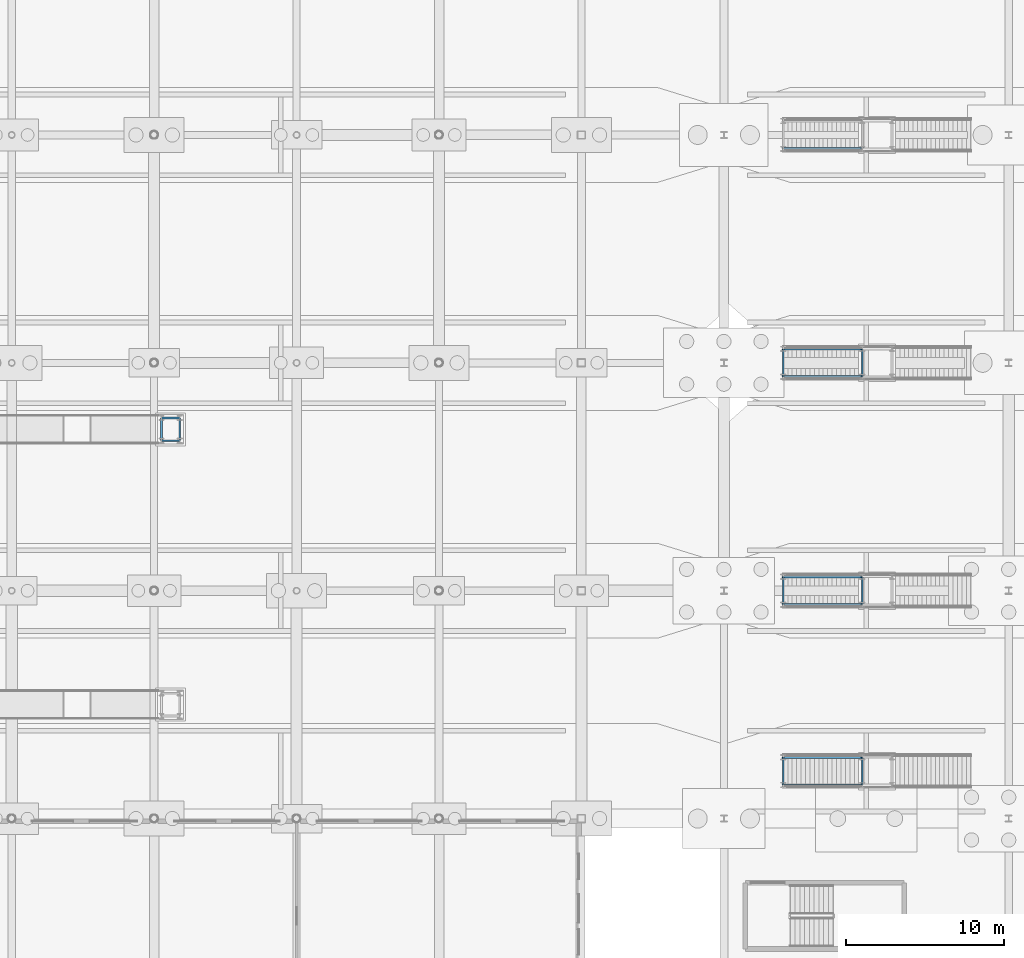
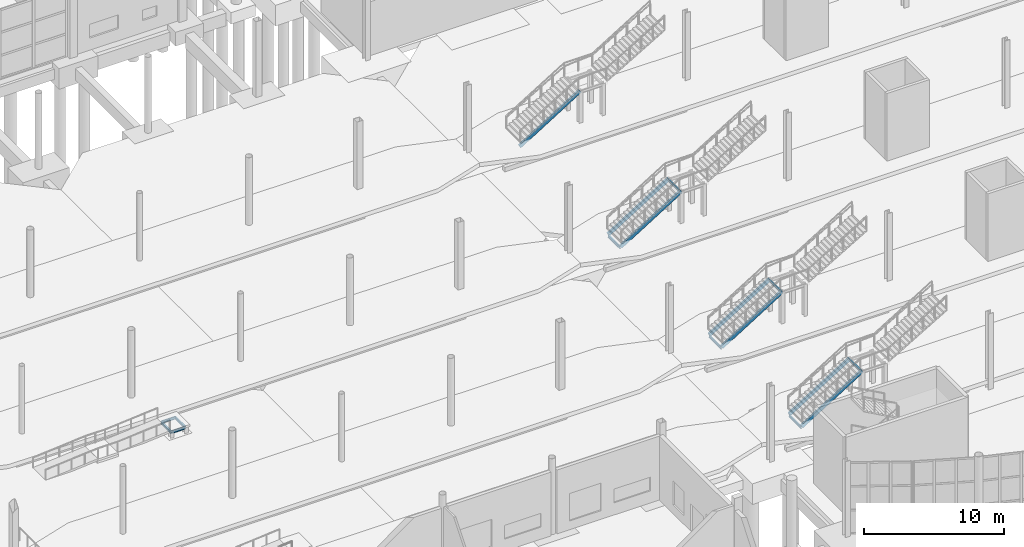
# One storey, part 41 of 115: 10 beams, 7 members.
"""IFC4 building model written with IfcOpenShell, lengths in metres."""

from ifc_helpers import new_model, si_unit, direction, frame, origin, origin_2d, place, context, subcontext, project, spatial, hollow_rectangle, i_section, extrude, material, material_profile, profile_set, type_object, element, save


model = new_model("IFC4")

# Units and contexts
model_context = context("Model", 3, precision=1e-05, world=origin(), true_north=direction((0.0, 1.0)))
body_context = subcontext(model_context, "Body", "Model", "MODEL_VIEW")
ifc_project = project(units=[si_unit("LENGTHUNIT", "METRE"), si_unit("AREAUNIT", "SQUARE_METRE"), si_unit("VOLUMEUNIT", "CUBIC_METRE"), si_unit("PLANEANGLEUNIT", "RADIAN"), si_unit("MASSUNIT", "GRAM", prefix="KILO")], contexts=[model_context])

# Site, building, storey
site_placement = place(None, origin())
site = spatial("IfcSite", under=ifc_project, at=site_placement, CompositionType="ELEMENT")
building_placement = place(site_placement, origin())
building = spatial("IfcBuilding", under=site, at=building_placement, Name="Tamarisk Ironworks Central Station", CompositionType="ELEMENT")
storey_placement = place(building_placement, origin())
storey = spatial("IfcBuildingStorey", under=building, at=storey_placement, Name="L00", CompositionType="ELEMENT", Elevation=0.0)

# Beams
ifc_material = material(Name="Structural steel S355J2", Category="steel")
ifc_material_profile_1 = material_profile(ifc_material, i_section(OverallWidth=0.110107421875, OverallDepth=0.219970703125, WebThickness=0.005859375, FlangeThickness=0.00927734375, at=origin_2d()), Name="IPE 220")
ifc_profile_set_1 = profile_set([ifc_material_profile_1], Name="Structural steel S355J2")
beam_type = type_object("IfcBeamType", Name="BM-J02", PredefinedType="JOIST", material=ifc_profile_set_1)
for number, where, z_axis, x_axis, name in (
    (1, (62.739990234375, 23.719970703125, 3.330078125), (0.0, 1.0, 0.0), (-1.0, 0.0, 0.0), "ST-P1A mid-landing tie beam 3"),
    (2, (57.760009765625, 23.719970703125, 0.239990234375), (0.0, 1.0, 0.0), (-1.0, 0.0, 0.0), "ST-P1A bottom stringer tie beam"),
):
    element("IfcBeam", number, at=place(storey_placement, frame(where, z_axis=z_axis, x_axis=x_axis)), inside=storey, type_object=beam_type, Name=name, PredefinedType="JOIST", context=body_context, shape_type="SweptSolid", body=[
        extrude(i_section(OverallWidth=0.110107421875, OverallDepth=0.219970703125, WebThickness=0.005859375, FlangeThickness=0.00927734375, at=origin_2d()), origin(), (0.0, 0.0, 1.0), 1.760009765625),
    ])
for number, where, z_axis, x_axis, name in (
    (3, (62.739990234375, 35.1201171875, 3.330078125), (0.0, 1.0, 0.0), (-1.0, 0.0, 0.0), "ST-P2A mid-landing tie beam 3"),
    (4, (57.760009765625, 35.1201171875, 0.239990234375), (0.0, 1.0, 0.0), (-1.0, 0.0, 0.0), "ST-P2A bottom stringer tie beam"),
):
    element("IfcBeam", number, at=place(storey_placement, frame(where, z_axis=z_axis, x_axis=x_axis)), inside=storey, type_object=beam_type, Name=name, PredefinedType="JOIST", context=body_context, shape_type="SweptSolid", body=[
        extrude(i_section(OverallWidth=0.110107421875, OverallDepth=0.219970703125, WebThickness=0.005859375, FlangeThickness=0.00927734375, at=origin_2d()), origin(), (0.0, 0.0, 1.0), 1.759765625),
    ])
for number, where, z_axis, x_axis, name in (
    (5, (62.739990234375, 49.52001953125, 3.330078125), (0.0, 1.0, 0.0), (-1.0, 0.0, 0.0), "ST-P3A mid-landing tie beam 3"),
    (6, (57.760009765625, 49.52001953125, 0.239990234375), (0.0, 1.0, 0.0), (-1.0, 0.0, 0.0), "ST-P3A bottom stringer tie beam"),
):
    element("IfcBeam", number, at=place(storey_placement, frame(where, z_axis=z_axis, x_axis=x_axis)), inside=storey, type_object=beam_type, Name=name, PredefinedType="JOIST", context=body_context, shape_type="SweptSolid", body=[
        extrude(i_section(OverallWidth=0.110107421875, OverallDepth=0.219970703125, WebThickness=0.005859375, FlangeThickness=0.00927734375, at=origin_2d()), origin(), (0.0, 0.0, 1.0), 1.760009765625),
    ])
for number, where, z_axis, x_axis, name in (
    (7, (18.4599609375, 45.47998046875, 0.39990234375), (1.0, 0.0, 0.0), (0.0, 1.0, 0.0), "RMP-P3W arrival landing tie beam 1"),
    (8, (18.4599609375, 46.919921875, 0.39990234375), (1.0, 0.0, 0.0), (0.0, 1.0, 0.0), "RMP-P3W arrival landing tie beam 2"),
):
    element("IfcBeam", number, at=place(storey_placement, frame(where, z_axis=z_axis, x_axis=x_axis)), inside=storey, type_object=beam_type, Name=name, PredefinedType="JOIST", context=body_context, shape_type="SweptSolid", body=[
        extrude(i_section(OverallWidth=0.110107421875, OverallDepth=0.219970703125, WebThickness=0.005859375, FlangeThickness=0.00927734375, at=origin_2d()), origin(), (0.0, 0.0, 1.0), 1.16015625),
    ])
for number, where, z_axis, x_axis, name in (
    (9, (18.4599609375, 45.47998046875, 0.39990234375), (0.0, 1.0, 0.0), (-1.0, 0.0, 0.0), "RMP-P3W arrival landing tie beam 3"),
    (10, (19.6201171875, 45.47998046875, 0.39990234375), (0.0, 1.0, 0.0), (-1.0, 0.0, 0.0), "RMP-P3W arrival landing tie beam 4"),
):
    element("IfcBeam", number, at=place(storey_placement, frame(where, z_axis=z_axis, x_axis=x_axis)), inside=storey, type_object=beam_type, Name=name, PredefinedType="JOIST", context=body_context, shape_type="SweptSolid", body=[
        extrude(i_section(OverallWidth=0.110107421875, OverallDepth=0.219970703125, WebThickness=0.005859375, FlangeThickness=0.00927734375, at=origin_2d()), origin(), (0.0, 0.0, 1.0), 1.43994140625),
    ])

# Members
ifc_material_profile_2 = material_profile(ifc_material, hollow_rectangle(XDim=0.14990234375, YDim=0.300048828125, WallThickness=0.010009765625, at=origin_2d()), Name="RHS 300x150x10")
ifc_profile_set_2 = profile_set([ifc_material_profile_2], Name="Structural steel S355J2")
member_type = type_object("IfcMemberType", Name="MB-STR01", PredefinedType="STRINGER", material=ifc_profile_set_2)
for number, where, z_axis, x_axis, name in (
    (11, (57.760009765625, 23.719970703125, 0.340087890625), (0.848964905475, 0.0, 0.528449230553), (0.0, 1.0, 0.0), "ST-P1A lower flight steel stringer S"),
    (12, (57.760009765625, 25.47998046875, 0.340087890625), (0.848964905475, 0.0, 0.528449230553), (0.0, 1.0, 0.0), "ST-P1A lower flight steel stringer N"),
    (13, (57.760009765625, 35.1201171875, 0.340087890625), (0.848964905475, 0.0, 0.528449230553), (0.0, 1.0, 0.0), "ST-P2A lower flight steel stringer S"),
    (14, (57.760009765625, 36.8798828125, 0.340087890625), (0.848964905475, 0.0, 0.528449230553), (0.0, 1.0, 0.0), "ST-P2A lower flight steel stringer N"),
    (15, (57.760009765625, 49.52001953125, 0.340087890625), (0.848964905475, 0.0, 0.528449230553), (0.0, 1.0, 0.0), "ST-P3A lower flight steel stringer S"),
    (16, (57.760009765625, 51.280029296875, 0.340087890625), (0.848964905475, 0.0, 0.528449230553), (0.0, 1.0, 0.0), "ST-P3A lower flight steel stringer N"),
    (17, (57.760009765625, 63.919921875, 0.340087890625), (0.848964905475, 0.0, 0.528449230553), (0.0, 1.0, 0.0), "ST-P4A lower flight steel stringer S"),
):
    element("IfcMember", number, at=place(storey_placement, frame(where, z_axis=z_axis, x_axis=x_axis)), inside=storey, type_object=member_type, Name=name, PredefinedType="STRINGER", context=body_context, shape_type="SweptSolid", body=[
        extrude(hollow_rectangle(XDim=0.14990234375, YDim=0.300048828125, WallThickness=0.010009765625, at=origin_2d()), origin(), (0.0, 0.0, 1.0), 5.865966796875),
    ])

save(model, "model.ifc")
